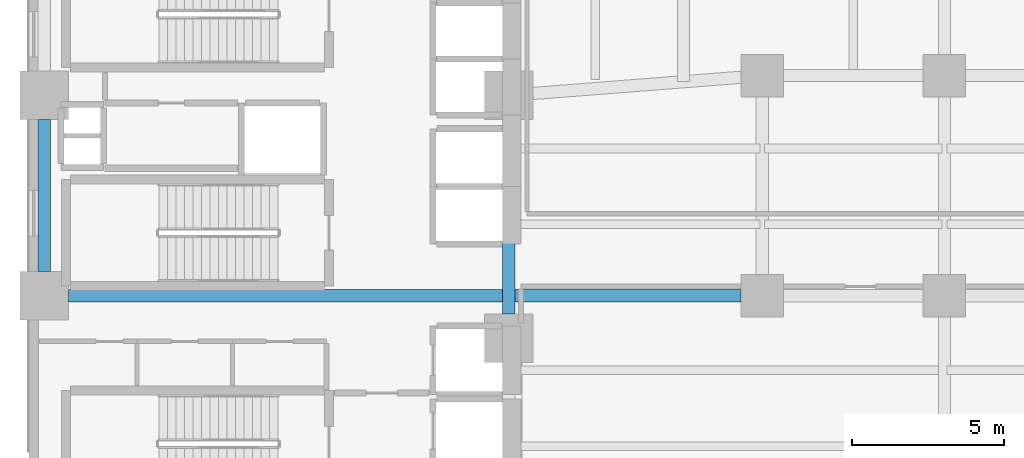
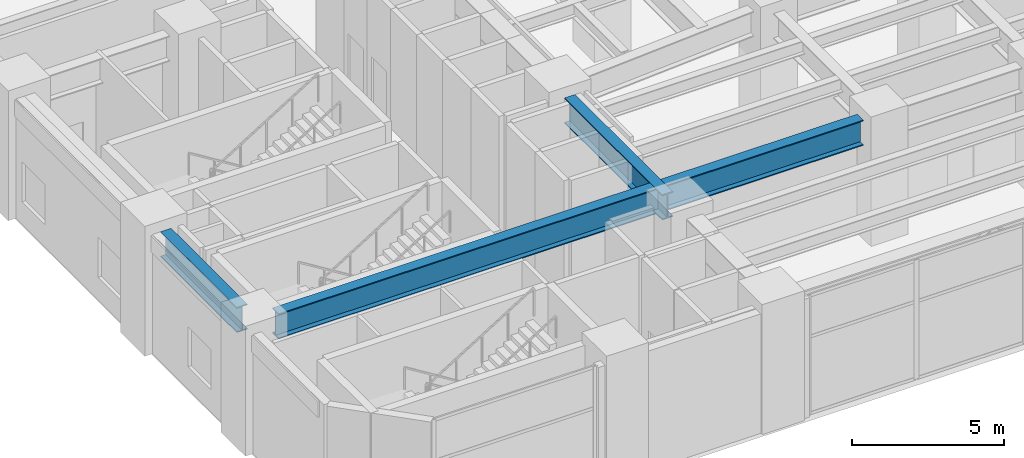
# One storey, part 3 of 29: 3 beams.
"""IFC4 building model written with IfcOpenShell, lengths in metres."""

from ifc_helpers import new_model, si_unit, direction, frame, origin, origin_2d, place, context, subcontext, project, spatial, i_section, extrude, material, material_profile, profile_set, type_object, element, save


model = new_model("IFC4")

# Units and contexts
model_context = context("Model", 3, precision=1e-05, world=origin(), true_north=direction((0.0, 1.0)))
body_context = subcontext(model_context, "Body", "Model", "MODEL_VIEW")
ifc_project = project(units=[si_unit("LENGTHUNIT", "METRE"), si_unit("AREAUNIT", "SQUARE_METRE"), si_unit("VOLUMEUNIT", "CUBIC_METRE"), si_unit("PLANEANGLEUNIT", "RADIAN"), si_unit("MASSUNIT", "GRAM", prefix="KILO")], contexts=[model_context])

# Site, building, storey
site_placement = place(None, origin())
site = spatial("IfcSite", under=ifc_project, at=site_placement, CompositionType="ELEMENT")
building_placement = place(site_placement, origin())
building = spatial("IfcBuilding", under=site, at=building_placement, Name="Mawjaban Terraces University", CompositionType="ELEMENT")
storey_placement = place(building_placement, frame((0.0, 0.0, 20.800048828125)))
storey = spatial("IfcBuildingStorey", under=building, at=storey_placement, Name="L04", CompositionType="ELEMENT", Elevation=20.800048828125)

# Beams
ifc_material = material(Name="Steel ASTM A913 Grade 65", Category="steel")
ifc_material_profile = material_profile(ifc_material, i_section(OverallWidth=0.402099609375, OverallDepth=1.011962890625, WebThickness=0.02392578125, FlangeThickness=0.0400390625, at=origin_2d()), Name="W1000X443")
ifc_profile_set = profile_set([ifc_material_profile], Name="Steel ASTM A913 Grade 65")
beam_type = type_object("IfcBeamType", Name="Beam_B_W1000X443", PredefinedType="BEAM", material=ifc_profile_set)
beam_1_placement = place(storey_placement, frame((23.14990234375, 7.949951171875, 4.27392578125), z_axis=(1.0, 0.0, 0.0), x_axis=(0.0, 1.0, 0.0)))
element("IfcBeam", 1, at=beam_1_placement, inside=storey, type_object=beam_type, Name="L04 Beam BM-L04-EW-04", PredefinedType="BEAM", context=body_context, shape_type="SweptSolid", body=[
    extrude(i_section(OverallWidth=0.402099609375, OverallDepth=1.011962890625, WebThickness=0.02392578125, FlangeThickness=0.0400390625, at=origin_2d()), origin(), (0.0, 0.0, 1.0), 22.150146484375),
])
beam_2_placement = place(storey_placement, frame((22.35009765625, 8.75, 4.27392578125), z_axis=(0.0, 1.0, 0.0), x_axis=(-1.0, 0.0, 0.0)))
element("IfcBeam", 2, at=beam_2_placement, inside=storey, type_object=beam_type, Name="L04 Beam BM-L04-NS-01", PredefinedType="BEAM", context=body_context, shape_type="SweptSolid", body=[
    extrude(i_section(OverallWidth=0.402099609375, OverallDepth=1.011962890625, WebThickness=0.02392578125, FlangeThickness=0.0400390625, at=origin_2d()), origin(), (0.0, 0.0, 1.0), 5.0),
])
beam_3_placement = place(storey_placement, frame((37.64990234375, 7.35009765625, 4.27392578125), z_axis=(0.0, 1.0, 0.0), x_axis=(-1.0, 0.0, 0.0)))
element("IfcBeam", 3, at=beam_3_placement, inside=storey, type_object=beam_type, Name="L04 Beam BM-L04-NS-06", PredefinedType="BEAM", context=body_context, shape_type="SweptSolid", body=[
    extrude(i_section(OverallWidth=0.402099609375, OverallDepth=1.011962890625, WebThickness=0.02392578125, FlangeThickness=0.0400390625, at=origin_2d()), origin(), (0.0, 0.0, 1.0), 6.39990234375),
])

save(model, "model.ifc")
